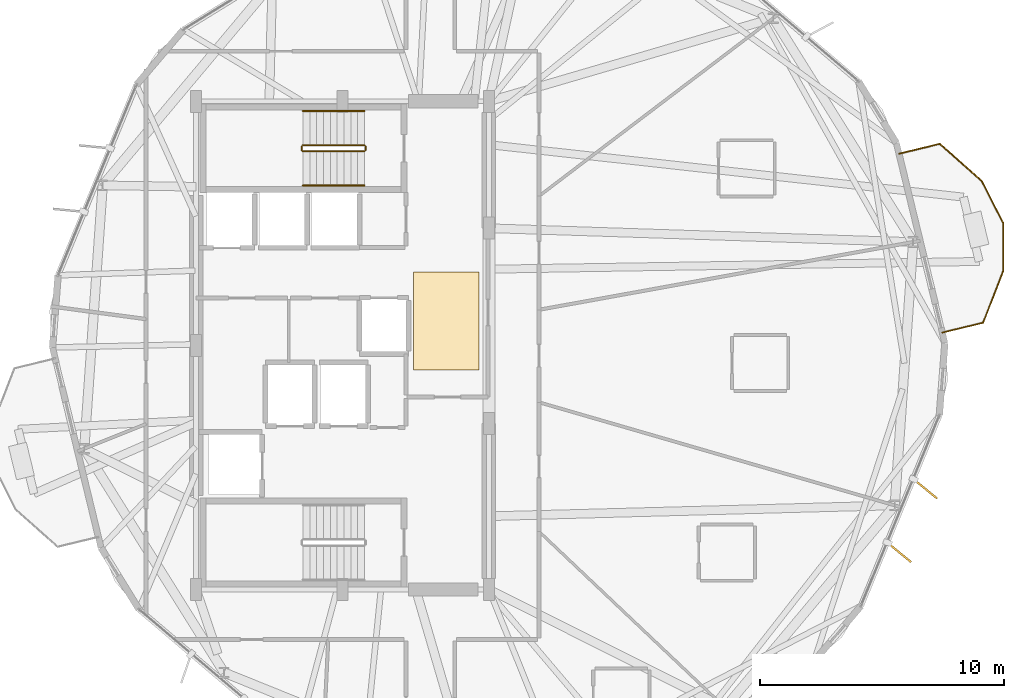
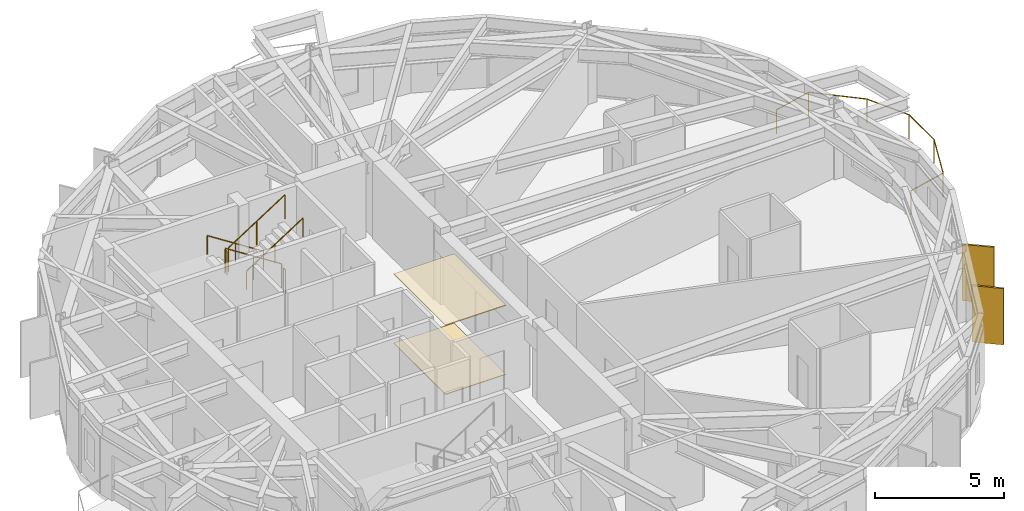
# One storey, part 20 of 21: 7 railings, 2 coverings, 2 shading devices.
"""IFC4 building model written with IfcOpenShell, lengths in metres."""

from ifc_helpers import new_model, si_unit, direction, frame, origin, origin_2d, place, context, subcontext, project, spatial, polyline, rectangle, circle, outline, extrude, material, layer, layer_set, type_object, element, save


model = new_model("IFC4")

# Units and contexts
model_context = context("Model", 3, precision=1e-05, world=origin(), true_north=direction((0.0, 1.0)))
body_context = subcontext(model_context, "Body", "Model", "MODEL_VIEW")
ifc_project = project(units=[si_unit("LENGTHUNIT", "METRE"), si_unit("AREAUNIT", "SQUARE_METRE"), si_unit("VOLUMEUNIT", "CUBIC_METRE"), si_unit("PLANEANGLEUNIT", "RADIAN"), si_unit("MASSUNIT", "GRAM", prefix="KILO")], contexts=[model_context])

# Site, building, storey
site_placement = place(None, origin())
site = spatial("IfcSite", under=ifc_project, at=site_placement, CompositionType="ELEMENT")
building_placement = place(site_placement, origin())
building = spatial("IfcBuilding", under=site, at=building_placement, Name="Soratama Intermodal Tower", CompositionType="ELEMENT")
storey_placement = place(building_placement, frame((0.0, 0.0, 149.800048828125)))
storey = spatial("IfcBuildingStorey", under=building, at=storey_placement, Name="L36", CompositionType="ELEMENT", Elevation=149.800048828125)

# Coverings
ifc_material_1 = material(Name="Perforated mineral acoustic ceiling", Category="concrete")
ifc_layer_1 = layer(ifc_material_1, 0.0400390625)
ifc_layer_set_1 = layer_set([ifc_layer_1], Name="Perforated mineral acoustic ceiling")
covering_type_1 = type_object("IfcCoveringType", Name="CV-CEIL-ACOUSTIC", PredefinedType="CEILING", material=ifc_layer_set_1)
covering_1_placement = place(storey_placement, frame((0.0, 0.0, 3.260009765625)))
element("IfcCovering", 1, at=covering_1_placement, inside=storey, type_object=covering_type_1, Name="L36 Acoustic Ceiling", PredefinedType="CEILING", context=body_context, shape_type="SweptSolid", body=[
    extrude(outline(polyline([(41.5, 24.0), (44.199951171875, 24.0), (44.199951171875, 28.0), (41.5, 28.0), (41.5, 24.0)])), origin(), (0.0, 0.0, 1.0), 0.0400390625),
])
ifc_material_2 = material(Name="Polished Andean stone terrazzo flooring", Category="masonry")
ifc_layer_2 = layer(ifc_material_2, 0.030029296875)
ifc_layer_set_2 = layer_set([ifc_layer_2], Name="Polished Andean stone terrazzo flooring")
covering_type_2 = type_object("IfcCoveringType", Name="CV-FLOR-TERRAZZO", PredefinedType="FLOORING", material=ifc_layer_set_2)
covering_2_placement = place(storey_placement, origin())
element("IfcCovering", 2, at=covering_2_placement, inside=storey, type_object=covering_type_2, Name="L36 Lobby Terrazzo Flooring", PredefinedType="FLOORING", context=body_context, shape_type="SweptSolid", body=[
    extrude(outline(polyline([(41.5, 24.0), (44.199951171875, 24.0), (44.199951171875, 28.0), (41.5, 28.0), (41.5, 24.0)])), origin(), (0.0, 0.0, 1.0), 0.030029296875),
])

# Railings
ifc_material_3 = material(Name="Laminated glass and stainless steel balustrade", Category="steel")
railing_type_1 = type_object("IfcRailingType", Name="RL-BAL-1150", PredefinedType="BALUSTRADE", material=ifc_material_3)
railing_1_placement = place(storey_placement, frame((61.400390625, 32.85302734375, 0.0)))
element("IfcRailing", 3, at=railing_1_placement, inside=storey, type_object=railing_type_1, Name="L36 Balcony Balustrade 1", PredefinedType="BALUSTRADE", context=body_context, shape_type="SweptSolid", body=[
    extrude(circle(Radius=0.02392578125, at=origin_2d()), frame((0.0, 0.0, 1.1259765625), z_axis=(0.97187865935, 0.235482210583, 0.0), x_axis=(-0.235482210583, 0.97187865935, 0.0)), (0.0, 0.0, 1.0), 1.719970703125),
    extrude(circle(Radius=0.02392578125, at=origin_2d()), frame((1.671630859375, 0.405029296875, 1.1259765625), z_axis=(0.748206581318, -0.663465833086, 0.0), x_axis=(0.663465833086, 0.748206581318, 0.0)), (0.0, 0.0, 1.0), 2.296142578125),
    extrude(circle(Radius=0.02392578125, at=origin_2d()), frame((3.3896484375, -1.118408203125, 1.1259765625), z_axis=(0.454305086689, -0.890846164165, 0.0), x_axis=(0.890846164165, 0.454305086689, 0.0)), (0.0, 0.0, 1.0), 1.937744140625),
    extrude(circle(Radius=0.02392578125, at=origin_2d()), frame((4.27001953125, -2.8447265625, 1.1259765625), z_axis=(0.003779262504, -0.999992858562, 0.0), x_axis=(0.999992858562, 0.003779262504, 0.0)), (0.0, 0.0, 1.0), 1.93798828125),
    extrude(circle(Radius=0.02392578125, at=origin_2d()), frame((4.27734375, -4.78271484375, 1.1259765625), z_axis=(-0.361542946324, -0.932355456874, 0.0), x_axis=(0.932355456874, -0.361542946324, 0.0)), (0.0, 0.0, 1.0), 2.2958984375),
    extrude(circle(Radius=0.02392578125, at=origin_2d()), frame((3.447265625, -6.92333984375, 1.1259765625), z_axis=(-0.97187865935, -0.235482210583, 0.0), x_axis=(0.235482210583, -0.97187865935, 0.0)), (0.0, 0.0, 1.0), 1.719970703125),
    extrude(circle(Radius=0.02099609375, at=origin_2d()), origin(), (0.0, 0.0, 1.0), 1.101806640625),
    extrude(circle(Radius=0.02099609375, at=origin_2d()), frame((1.671630859375, 0.405029296875, 0.0)), (0.0, 0.0, 1.0), 1.101806640625),
    extrude(circle(Radius=0.02099609375, at=origin_2d()), frame((3.3896484375, -1.118408203125, 0.0)), (0.0, 0.0, 1.0), 1.101806640625),
    extrude(circle(Radius=0.02099609375, at=origin_2d()), frame((4.27001953125, -2.8447265625, 0.0)), (0.0, 0.0, 1.0), 1.101806640625),
    extrude(circle(Radius=0.02099609375, at=origin_2d()), frame((4.27734375, -4.78271484375, 0.0)), (0.0, 0.0, 1.0), 1.101806640625),
    extrude(circle(Radius=0.02099609375, at=origin_2d()), frame((3.447265625, -6.92333984375, 0.0)), (0.0, 0.0, 1.0), 1.101806640625),
    extrude(circle(Radius=0.02099609375, at=origin_2d()), frame((1.775634765625, -7.328369140625, 0.0)), (0.0, 0.0, 1.0), 1.101806640625),
])
ifc_material_4 = material(Name="Painted steel stair guardrail", Category="steel")
railing_type_2 = type_object("IfcRailingType", Name="RL-STAIR-GUARD", PredefinedType="GUARDRAIL", material=ifc_material_4)
railing_2_placement = place(storey_placement, frame((39.5, 33.199951171875, 0.179931640625)))
element("IfcRailing", 4, at=railing_2_placement, inside=storey, type_object=railing_type_2, Name="L36 ST-2 stair guard 1", PredefinedType="GUARDRAIL", context=body_context, shape_type="SweptSolid", body=[
    extrude(circle(Radius=0.02392578125, at=origin_2d()), frame((0.0, 0.0, 1.1259765625), z_axis=(-0.841162588446, 0.0, 0.540782303519), x_axis=(0.0, -1.0, 0.0)), (0.0, 0.0, 1.0), 2.995849609375),
    extrude(circle(Radius=0.02099609375, at=origin_2d()), origin(), (0.0, 0.0, 1.0), 1.101806640625),
    extrude(circle(Radius=0.02099609375, at=origin_2d()), frame((-1.260009765625, 0.0, 0.81005859375)), (0.0, 0.0, 1.0), 1.101806640625),
    extrude(circle(Radius=0.02099609375, at=origin_2d()), frame((-2.52001953125, 0.0, 1.6201171875)), (0.0, 0.0, 1.0), 1.101806640625),
])
railing_3_placement = place(storey_placement, frame((36.929931640625, 33.14990234375, 1.800048828125)))
element("IfcRailing", 5, at=railing_3_placement, inside=storey, type_object=railing_type_2, Name="L36 ST-2 stair guard 2", PredefinedType="GUARDRAIL", context=body_context, shape_type="SweptSolid", body=[
    extrude(circle(Radius=0.02392578125, at=origin_2d()), frame((0.0, 0.0, 1.1259765625), z_axis=(0.0, -1.0, 0.0), x_axis=(1.0, 0.0, 0.0)), (0.0, 0.0, 1.0), 0.14990234375),
    extrude(circle(Radius=0.02099609375, at=origin_2d()), origin(), (0.0, 0.0, 1.0), 1.101806640625),
    extrude(circle(Radius=0.02099609375, at=origin_2d()), frame((0.0, -0.14990234375, 0.0)), (0.0, 0.0, 1.0), 1.101806640625),
])
railing_4_placement = place(storey_placement, frame((36.97998046875, 32.949951171875, 1.97998046875)))
element("IfcRailing", 6, at=railing_4_placement, inside=storey, type_object=railing_type_2, Name="L36 ST-2 stair guard 3", PredefinedType="GUARDRAIL", context=body_context, shape_type="SweptSolid", body=[
    extrude(circle(Radius=0.02392578125, at=origin_2d()), frame((0.0, 0.0, 1.1259765625), z_axis=(0.841199657755, 0.0, 0.540724639528), x_axis=(0.0, 1.0, 0.0)), (0.0, 0.0, 1.0), 2.995849609375),
    extrude(circle(Radius=0.02099609375, at=origin_2d()), origin(), (0.0, 0.0, 1.0), 1.101806640625),
    extrude(circle(Radius=0.02099609375, at=origin_2d()), frame((1.260009765625, 0.0, 0.81005859375)), (0.0, 0.0, 1.0), 1.101806640625),
    extrude(circle(Radius=0.02099609375, at=origin_2d()), frame((2.52001953125, 0.0, 1.619873046875)), (0.0, 0.0, 1.0), 1.101806640625),
])
railing_5_placement = place(storey_placement, frame((39.550048828125, 33.14990234375, 0.0)))
element("IfcRailing", 7, at=railing_5_placement, inside=storey, type_object=railing_type_2, Name="L36 ST-2 stair guard 4", PredefinedType="GUARDRAIL", context=body_context, shape_type="SweptSolid", body=[
    extrude(circle(Radius=0.02392578125, at=origin_2d()), frame((0.0, 0.0, 1.1259765625), z_axis=(0.0, -1.0, 0.0), x_axis=(1.0, 0.0, 0.0)), (0.0, 0.0, 1.0), 0.14990234375),
    extrude(circle(Radius=0.02099609375, at=origin_2d()), origin(), (0.0, 0.0, 1.0), 1.101806640625),
    extrude(circle(Radius=0.02099609375, at=origin_2d()), frame((0.0, -0.14990234375, 0.0)), (0.0, 0.0, 1.0), 1.101806640625),
])
ifc_material_5 = material(Name="Brushed stainless steel handrail", Category="steel")
railing_type_3 = type_object("IfcRailingType", Name="RL-STAIR-HAND", PredefinedType="HANDRAIL", material=ifc_material_5)
railing_6_placement = place(storey_placement, frame((39.5, 34.60009765625, 0.179931640625)))
element("IfcRailing", 8, at=railing_6_placement, inside=storey, type_object=railing_type_3, Name="L36 ST-2 stair handrail 1", PredefinedType="HANDRAIL", context=body_context, shape_type="SweptSolid", body=[
    extrude(circle(Radius=0.02392578125, at=origin_2d()), frame((0.0, 0.0, 0.8759765625), z_axis=(-0.841162588446, 0.0, 0.540782303519), x_axis=(0.0, -1.0, 0.0)), (0.0, 0.0, 1.0), 2.995849609375),
    extrude(circle(Radius=0.02099609375, at=origin_2d()), origin(), (0.0, 0.0, 1.0), 0.851806640625),
    extrude(circle(Radius=0.02099609375, at=origin_2d()), frame((-1.260009765625, 0.0, 0.81005859375)), (0.0, 0.0, 1.0), 0.851806640625),
    extrude(circle(Radius=0.02099609375, at=origin_2d()), frame((-2.52001953125, 0.0, 1.6201171875)), (0.0, 0.0, 1.0), 0.851806640625),
])
railing_7_placement = place(storey_placement, frame((36.97998046875, 31.550048828125, 1.97998046875)))
element("IfcRailing", 9, at=railing_7_placement, inside=storey, type_object=railing_type_3, Name="L36 ST-2 stair handrail 2", PredefinedType="HANDRAIL", context=body_context, shape_type="SweptSolid", body=[
    extrude(circle(Radius=0.02392578125, at=origin_2d()), frame((0.0, 0.0, 0.8759765625), z_axis=(0.841199657755, 0.0, 0.540724639528), x_axis=(0.0, 1.0, 0.0)), (0.0, 0.0, 1.0), 2.995849609375),
    extrude(circle(Radius=0.02099609375, at=origin_2d()), origin(), (0.0, 0.0, 1.0), 0.851806640625),
    extrude(circle(Radius=0.02099609375, at=origin_2d()), frame((1.260009765625, 0.0, 0.81005859375)), (0.0, 0.0, 1.0), 0.851806640625),
    extrude(circle(Radius=0.02099609375, at=origin_2d()), frame((2.52001953125, 0.0, 1.619873046875)), (0.0, 0.0, 1.0), 0.851806640625),
])

# Shading devices
ifc_material_6 = material(Name="Champagne anodised aluminium solar fin", Category="aluminium")
ifc_layer_3 = layer(ifc_material_6, 0.080078125)
ifc_layer_set_3 = layer_set([ifc_layer_3], Name="Champagne anodised aluminium solar fin")
shading_device_type = type_object("IfcShadingDeviceType", Name="SH-FIN-1250", PredefinedType="USERDEFINED", material=ifc_layer_set_3)
for number, where, z_axis, x_axis, name in (
    (10, (61.411865234375, 16.517333984375, 0.02001953125), (0.0, 0.0, 1.0), (0.773287186058, -0.634055934345, 0.0), "L36 Solar Fin F09-1"),
    (11, (62.48291015625, 19.118896484375, 0.02001953125), (0.0, 0.0, 1.0), (0.773287186058, -0.634055934345, 0.0), "L36 Solar Fin F09-2"),
):
    element("IfcShadingDevice", number, at=place(storey_placement, frame(where, z_axis=z_axis, x_axis=x_axis)), inside=storey, type_object=shading_device_type, Name=name, ObjectType="FIN", PredefinedType="USERDEFINED", context=body_context, shape_type="SweptSolid", body=[
        extrude(rectangle(XDim=1.25, YDim=0.080078125, at=origin_2d()), origin(), (0.0, 0.0, 1.0), 2.658935546875),
    ])

save(model, "model.ifc")
